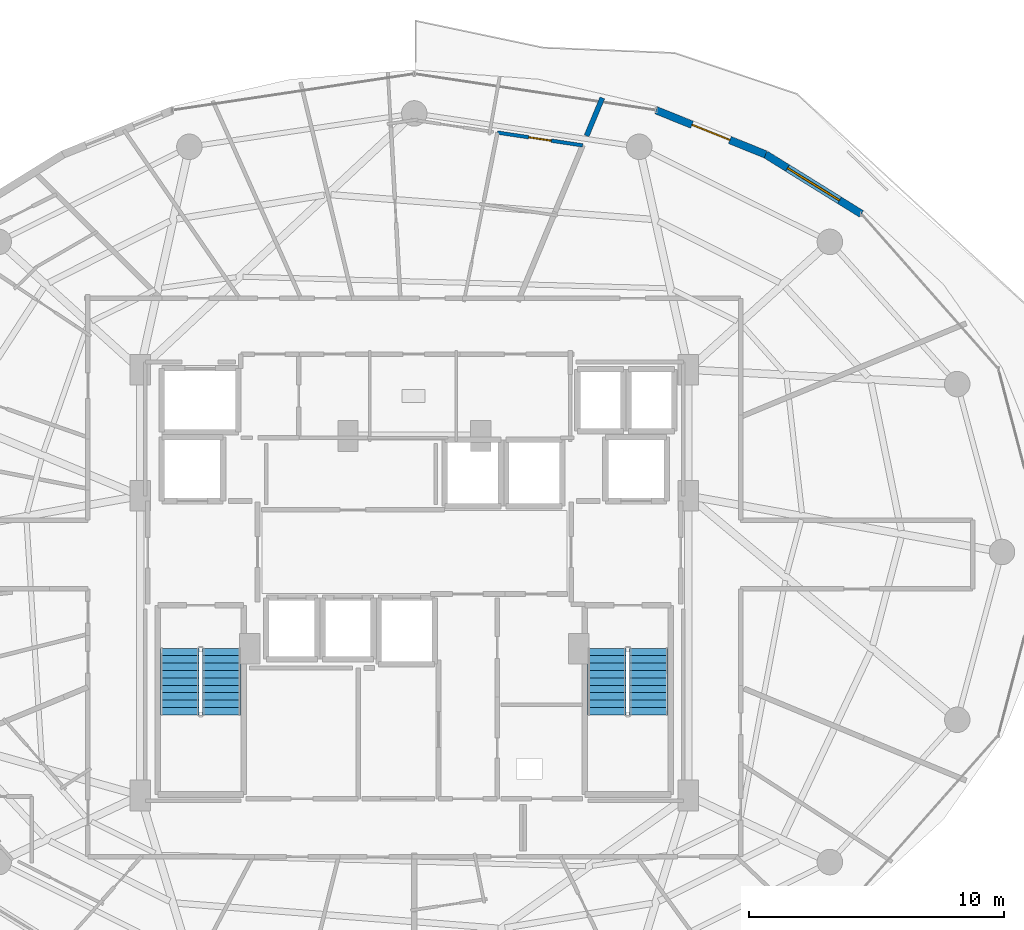
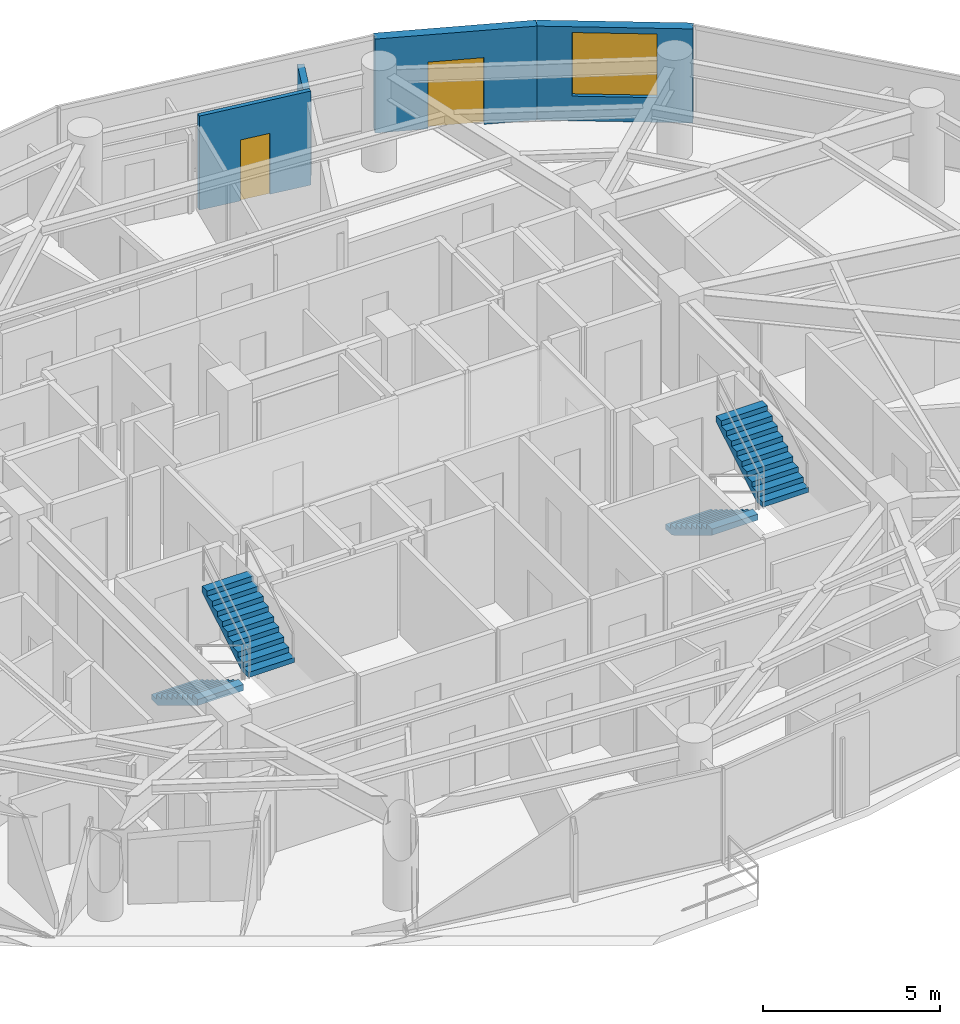
# One storey, part 25 of 28: 4 stair flights, 4 walls, 2 doors, 1 window, 3 openings, 2 elements without a shape of their own.
"""IFC4 building model written with IfcOpenShell, lengths in metres."""

from ifc_helpers import new_model, si_unit, direction, frame, frame_2d, origin, place, context, subcontext, project, spatial, polyline, rectangle, outline, extrude, material, layer, layer_set, type_object, element, fill, aggregate, save


model = new_model("IFC4")

# Units and contexts
model_context = context("Model", 3, precision=1e-05, world=origin(), true_north=direction((0.0, 1.0)))
body_context = subcontext(model_context, "Body", "Model", "MODEL_VIEW")
ifc_project = project(units=[si_unit("LENGTHUNIT", "METRE"), si_unit("AREAUNIT", "SQUARE_METRE"), si_unit("VOLUMEUNIT", "CUBIC_METRE"), si_unit("PLANEANGLEUNIT", "RADIAN"), si_unit("MASSUNIT", "GRAM", prefix="KILO")], contexts=[model_context])

# Site, building, storey
site_placement = place(None, origin())
site = spatial("IfcSite", under=ifc_project, at=site_placement, CompositionType="ELEMENT")
building_placement = place(site_placement, origin())
building = spatial("IfcBuilding", under=site, at=building_placement, Name="Vorneva Point Tower", CompositionType="ELEMENT")
storey_placement = place(building_placement, frame((0.0, 0.0, 164.10009765625)))
storey = spatial("IfcBuildingStorey", under=building, at=storey_placement, Name="L44", CompositionType="ELEMENT", Elevation=164.10009765625)

# Wall, opening, window
ifc_material_1 = material(Name="Precast concrete B50 (C40/50)", Category="concrete")
ifc_layer_1 = layer(ifc_material_1, 0.300048828125)
ifc_layer_set_1 = layer_set([ifc_layer_1], Name="Precast concrete B50 (C40/50)")
wall_type_1 = type_object("IfcWallType", Name="WL-EXT-300", PredefinedType="STANDARD", material=ifc_layer_set_1)
wall_1_placement = place(storey_placement, frame((55.5361328125, 39.25830078125, 0.0), z_axis=(0.0, 0.0, 1.0), x_axis=(-0.849721181976, 0.527232313977, 0.0)))
wall_1 = element("IfcWall", 1, at=wall_1_placement, inside=storey, type_object=wall_type_1, Name="L44 Pale-Metal Facade Spandrel Wall 03.1", PredefinedType="STANDARD", context=body_context, shape_type="SweptSolid", body=[
    extrude(rectangle(XDim=4.422607421875, YDim=0.300048828125, at=frame_2d((2.21142578125, 0.0))), origin(), (0.0, 0.0, 1.0), 3.239990234375),
])
opening_1_placement = place(wall_1_placement, frame((1.011474609375, 0.0, 0.85009765625)))
opening_1 = element("IfcOpeningElement", 2, at=opening_1_placement, cuts=wall_1, Name="Opening W-03", PredefinedType="OPENING", context=body_context, shape_type="SweptSolid", body=[
    extrude(rectangle(XDim=2.39990234375, YDim=2.18994140625, at=frame_2d((1.199951171875, 1.094970703125))), frame((0.0, 0.1650390625, 0.0), z_axis=(0.0, -1.0, 0.0), x_axis=(1.0, 0.0, 0.0)), (0.0, 0.0, 1.0), 0.329833984375),
])
ifc_material_2 = material(Name="Double low-e laminated glass IGU", Category="glass")
window_type = type_object("IfcWindowType", Name="WN-RES-2400", PartitioningType="SINGLE_PANEL", PredefinedType="WINDOW", material=ifc_material_2)
window_placement = place(opening_1_placement, origin())
window = element("IfcWindow", 3, at=window_placement, inside=storey, type_object=window_type, Name="L44 Facade Window 03", OverallHeight=2.18994140625, OverallWidth=2.39990234375, PartitioningType="SINGLE_PANEL", PredefinedType="WINDOW", context=body_context, shape_type="SweptSolid", body=[
    extrude(rectangle(XDim=2.39990234375, YDim=2.18994140625, at=frame_2d((1.199951171875, 1.094970703125))), frame((0.0, 0.030029296875, 0.0), z_axis=(0.0, -1.0, 0.0), x_axis=(1.0, 0.0, 0.0)), (0.0, 0.0, 1.0), 0.06005859375),
])
fill(opening_1, window)

# Wall, opening, door
wall_2_placement = place(storey_placement, frame((51.778076171875, 41.590087890625, 0.0), z_axis=(0.0, 0.0, 1.0), x_axis=(-0.927156504392, 0.374674280359, 0.0)))
wall_2 = element("IfcWall", 4, at=wall_2_placement, inside=storey, type_object=wall_type_1, Name="L44 Pale-Metal Facade Spandrel Wall 03.2", PredefinedType="STANDARD", context=body_context, shape_type="SweptSolid", body=[
    extrude(rectangle(XDim=4.62451171875, YDim=0.300048828125, at=frame_2d((2.312255859375, 0.0))), origin(), (0.0, 0.0, 1.0), 3.239990234375),
])
opening_2_placement = place(wall_2_placement, frame((1.51220703125, 0.0, 0.0)))
opening_2 = element("IfcOpeningElement", 5, at=opening_2_placement, cuts=wall_2, Name="Opening BD-01", PredefinedType="OPENING", context=body_context, shape_type="SweptSolid", body=[
    extrude(rectangle(XDim=1.60009765625, YDim=2.300048828125, at=frame_2d((0.800048828125, 1.14990234375))), frame((0.0, 0.1650390625, 0.0), z_axis=(0.0, -1.0, 0.0), x_axis=(1.0, 0.0, 0.0)), (0.0, 0.0, 1.0), 0.329833984375),
])
ifc_material_3 = material(Name="Pale anodised aluminium", Category="aluminium")
door_type_1 = type_object("IfcDoorType", Name="DR-BAL-1600", OperationType="SLIDING_TO_LEFT", PredefinedType="DOOR", material=ifc_material_3)
door_1_placement = place(opening_2_placement, origin())
door_1 = element("IfcDoor", 6, at=door_1_placement, inside=storey, type_object=door_type_1, Name="L44 Balcony Terrace Access Door 03", OperationType="SLIDING_TO_LEFT", OverallHeight=2.300048828125, OverallWidth=1.60009765625, PredefinedType="DOOR", context=body_context, shape_type="SweptSolid", body=[
    extrude(rectangle(XDim=1.60009765625, YDim=2.300048828125, at=frame_2d((0.800048828125, 1.14990234375))), frame((0.0, 0.02490234375, 0.0), z_axis=(0.0, -1.0, 0.0), x_axis=(1.0, 0.0, 0.0)), (0.0, 0.0, 1.0), 0.050048828125),
])
fill(opening_2, door_1)

ifc_material_4 = material(Name="Fire-rated acoustic gypsum stud partition", Category="gypsum")
ifc_layer_2 = layer(ifc_material_4, 0.139892578125)
ifc_layer_set_2 = layer_set([ifc_layer_2], Name="Fire-rated acoustic gypsum stud partition")
wall_type_2 = type_object("IfcWallType", Name="WL-PART-140", PredefinedType="PARTITIONING", material=ifc_layer_set_2)
wall_3_placement = place(storey_placement, frame((41.260986328125, 42.448974609375, 0.0), z_axis=(0.0, 0.0, 1.0), x_axis=(0.988878555922, -0.148725255545, 0.0)))
wall_3 = element("IfcWall", 7, at=wall_3_placement, inside=storey, type_object=wall_type_2, Name="L44 Interior Partition 070", PredefinedType="PARTITIONING", context=body_context, shape_type="SweptSolid", body=[
    extrude(rectangle(XDim=3.381591796875, YDim=0.139892578125, at=frame_2d((1.69091796875, 0.0))), origin(), (0.0, 0.0, 1.0), 3.239990234375),
])
opening_3_placement = place(wall_3_placement, frame((1.24072265625, 0.0, 0.0)))
opening_3 = element("IfcOpeningElement", 8, at=opening_3_placement, cuts=wall_3, Name="Opening ID-01", PredefinedType="OPENING", context=body_context, shape_type="SweptSolid", body=[
    extrude(rectangle(XDim=0.89990234375, YDim=2.10009765625, at=frame_2d((0.449951171875, 1.050048828125))), frame((0.0, 0.0849609375, 0.0), z_axis=(0.0, -1.0, 0.0), x_axis=(1.0, 0.0, 0.0)), (0.0, 0.0, 1.0), 0.169677734375),
])
ifc_material_5 = material(Name="Engineered oak fire-rated door leaf", Category="wood")
door_type_2 = type_object("IfcDoorType", Name="DR-ROOM-900", OperationType="NOTDEFINED", PredefinedType="DOOR", material=ifc_material_5)
door_2_placement = place(opening_3_placement, origin())
door_2 = element("IfcDoor", 9, at=door_2_placement, inside=storey, type_object=door_type_2, Name="L44 Door Living and Dining Room L44-01 / Study Room L44-01", OperationType="SINGLE_SWING_LEFT", OverallHeight=2.10009765625, OverallWidth=0.89990234375, PredefinedType="DOOR", context=body_context, shape_type="SweptSolid", body=[
    extrude(rectangle(XDim=0.89990234375, YDim=2.10009765625, at=frame_2d((0.449951171875, 1.050048828125))), frame((0.0, 0.02490234375, 0.0), z_axis=(0.0, -1.0, 0.0), x_axis=(1.0, 0.0, 0.0)), (0.0, 0.0, 1.0), 0.050048828125),
])
fill(opening_3, door_2)

# Wall
ifc_material_6 = material(Name="Autoclaved aerated concrete blockwork", Category="masonry")
ifc_layer_3 = layer(ifc_material_6, 0.199951171875)
ifc_layer_set_3 = layer_set([ifc_layer_3], Name="Autoclaved aerated concrete blockwork")
wall_type_3 = type_object("IfcWallType", Name="WL-PART-200", PredefinedType="PARTITIONING", material=ifc_layer_set_3)
wall_4_placement = place(storey_placement, frame((44.760009765625, 42.321044921875, 0.0), z_axis=(0.0, 0.0, 1.0), x_axis=(0.382955001099, 0.923766998292, 0.0)))
element("IfcWall", 10, at=wall_4_placement, inside=storey, type_object=wall_type_3, Name="L44 Interior Partition 073", PredefinedType="PARTITIONING", context=body_context, shape_type="SweptSolid", body=[
    extrude(rectangle(XDim=1.6083984375, YDim=0.199951171875, at=frame_2d((0.80419921875, 0.0))), origin(), (0.0, 0.0, 1.0), 2.727783203125),
])

# Stair, stair flights
ifc_material_7 = material(Name="Concrete B50 (C40/50)", Category="concrete")
stair_type = type_object("IfcStairType", Name="ST-DOG-1500", PredefinedType="HALF_TURN_STAIR", material=ifc_material_7)
stair_1_placement = place(storey_placement, origin())
stair_1 = element("IfcStair", 11, at=stair_1_placement, inside=storey, type_object=stair_type, Name="L44 ST1", PredefinedType="HALF_TURN_STAIR")
stair_flight_type = type_object("IfcStairFlightType", Name="STF-1500", PredefinedType="STRAIGHT", material=ifc_material_7)
stair_flight_1_placement = place(storey_placement, frame((28.800048828125, 22.219970703125, 0.0), z_axis=(0.0, 0.0, 1.0), x_axis=(0.0, -1.0, 0.0)))
stair_flight_1 = element("IfcStairFlight", 12, at=stair_flight_1_placement, type_object=stair_flight_type, Name="ST1 flight 1", NumberOfRisers=10, NumberOfTreads=9, PredefinedType="STRAIGHT", RiserHeight=0.175, TreadLength=0.29, context=body_context, shape_type="SweptSolid", body=[
    extrude(outline(polyline([(0.0, 0.0), (0.0, 0.175048828125), (0.2900390625, 0.175048828125), (0.2900390625, 0.35009765625), (0.580078125, 0.35009765625), (0.580078125, 0.52490234375), (0.8701171875, 0.52490234375), (0.8701171875, 0.699951171875), (1.159912109375, 0.699951171875), (1.159912109375, 0.875), (1.449951171875, 0.875), (1.449951171875, 1.050048828125), (1.739990234375, 1.050048828125), (1.739990234375, 1.22509765625), (2.030029296875, 1.22509765625), (2.030029296875, 1.39990234375), (2.320068359375, 1.39990234375), (2.320068359375, 1.574951171875), (2.610107421875, 1.574951171875), (2.610107421875, 1.75), (2.610107421875, 1.36474609375), (0.34814453125, 0.0), (0.0, 0.0)])), frame((0.0, 0.75, 0.0), z_axis=(0.0, -1.0, 0.0), x_axis=(1.0, 0.0, 0.0)), (0.0, 0.0, 1.0), 1.5),
])
stair_flight_2_placement = place(storey_placement, frame((30.449951171875, 19.610107421875, 1.75), z_axis=(0.0, 0.0, 1.0), x_axis=(0.0, 1.0, 0.0)))
stair_flight_2 = element("IfcStairFlight", 13, at=stair_flight_2_placement, type_object=stair_flight_type, Name="ST1 flight 2", NumberOfRisers=10, NumberOfTreads=9, PredefinedType="STRAIGHT", RiserHeight=0.175, TreadLength=0.29, context=body_context, shape_type="SweptSolid", body=[
    extrude(outline(polyline([(0.0, 0.0), (0.0, 0.175048828125), (0.2900390625, 0.175048828125), (0.2900390625, 0.35009765625), (0.580078125, 0.35009765625), (0.580078125, 0.52490234375), (0.8701171875, 0.52490234375), (0.8701171875, 0.699951171875), (1.159912109375, 0.699951171875), (1.159912109375, 0.875), (1.449951171875, 0.875), (1.449951171875, 1.050048828125), (1.739990234375, 1.050048828125), (1.739990234375, 1.22509765625), (2.030029296875, 1.22509765625), (2.030029296875, 1.39990234375), (2.320068359375, 1.39990234375), (2.320068359375, 1.574951171875), (2.610107421875, 1.574951171875), (2.610107421875, 1.75), (2.610107421875, 1.36474609375), (0.34814453125, 0.0), (0.0, 0.0)])), frame((0.0, 0.75, 0.0), z_axis=(0.0, -1.0, 0.0), x_axis=(1.0, 0.0, 0.0)), (0.0, 0.0, 1.0), 1.5),
])
aggregate(stair_1, [stair_flight_1, stair_flight_2])

stair_2_placement = place(storey_placement, origin())
stair_2 = element("IfcStair", 14, at=stair_2_placement, inside=storey, type_object=stair_type, Name="L44 ST2", PredefinedType="HALF_TURN_STAIR")
stair_flight_3_placement = place(storey_placement, frame((45.550048828125, 22.219970703125, 0.0), z_axis=(0.0, 0.0, 1.0), x_axis=(0.0, -1.0, 0.0)))
stair_flight_3 = element("IfcStairFlight", 15, at=stair_flight_3_placement, type_object=stair_flight_type, Name="ST2 flight 1", NumberOfRisers=10, NumberOfTreads=9, PredefinedType="STRAIGHT", RiserHeight=0.175, TreadLength=0.29, context=body_context, shape_type="SweptSolid", body=[
    extrude(outline(polyline([(0.0, 0.0), (0.0, 0.175048828125), (0.2900390625, 0.175048828125), (0.2900390625, 0.35009765625), (0.580078125, 0.35009765625), (0.580078125, 0.52490234375), (0.8701171875, 0.52490234375), (0.8701171875, 0.699951171875), (1.159912109375, 0.699951171875), (1.159912109375, 0.875), (1.449951171875, 0.875), (1.449951171875, 1.050048828125), (1.739990234375, 1.050048828125), (1.739990234375, 1.22509765625), (2.030029296875, 1.22509765625), (2.030029296875, 1.39990234375), (2.320068359375, 1.39990234375), (2.320068359375, 1.574951171875), (2.610107421875, 1.574951171875), (2.610107421875, 1.75), (2.610107421875, 1.36474609375), (0.34814453125, 0.0), (0.0, 0.0)])), frame((0.0, 0.75, 0.0), z_axis=(0.0, -1.0, 0.0), x_axis=(1.0, 0.0, 0.0)), (0.0, 0.0, 1.0), 1.5),
])
stair_flight_4_placement = place(storey_placement, frame((47.199951171875, 19.610107421875, 1.75), z_axis=(0.0, 0.0, 1.0), x_axis=(0.0, 1.0, 0.0)))
stair_flight_4 = element("IfcStairFlight", 16, at=stair_flight_4_placement, type_object=stair_flight_type, Name="ST2 flight 2", NumberOfRisers=10, NumberOfTreads=9, PredefinedType="STRAIGHT", RiserHeight=0.175, TreadLength=0.29, context=body_context, shape_type="SweptSolid", body=[
    extrude(outline(polyline([(0.0, 0.0), (0.0, 0.175048828125), (0.2900390625, 0.175048828125), (0.2900390625, 0.35009765625), (0.580078125, 0.35009765625), (0.580078125, 0.52490234375), (0.8701171875, 0.52490234375), (0.8701171875, 0.699951171875), (1.159912109375, 0.699951171875), (1.159912109375, 0.875), (1.449951171875, 0.875), (1.449951171875, 1.050048828125), (1.739990234375, 1.050048828125), (1.739990234375, 1.22509765625), (2.030029296875, 1.22509765625), (2.030029296875, 1.39990234375), (2.320068359375, 1.39990234375), (2.320068359375, 1.574951171875), (2.610107421875, 1.574951171875), (2.610107421875, 1.75), (2.610107421875, 1.36474609375), (0.34814453125, 0.0), (0.0, 0.0)])), frame((0.0, 0.75, 0.0), z_axis=(0.0, -1.0, 0.0), x_axis=(1.0, 0.0, 0.0)), (0.0, 0.0, 1.0), 1.5),
])
aggregate(stair_2, [stair_flight_3, stair_flight_4])

save(model, "model.ifc")
